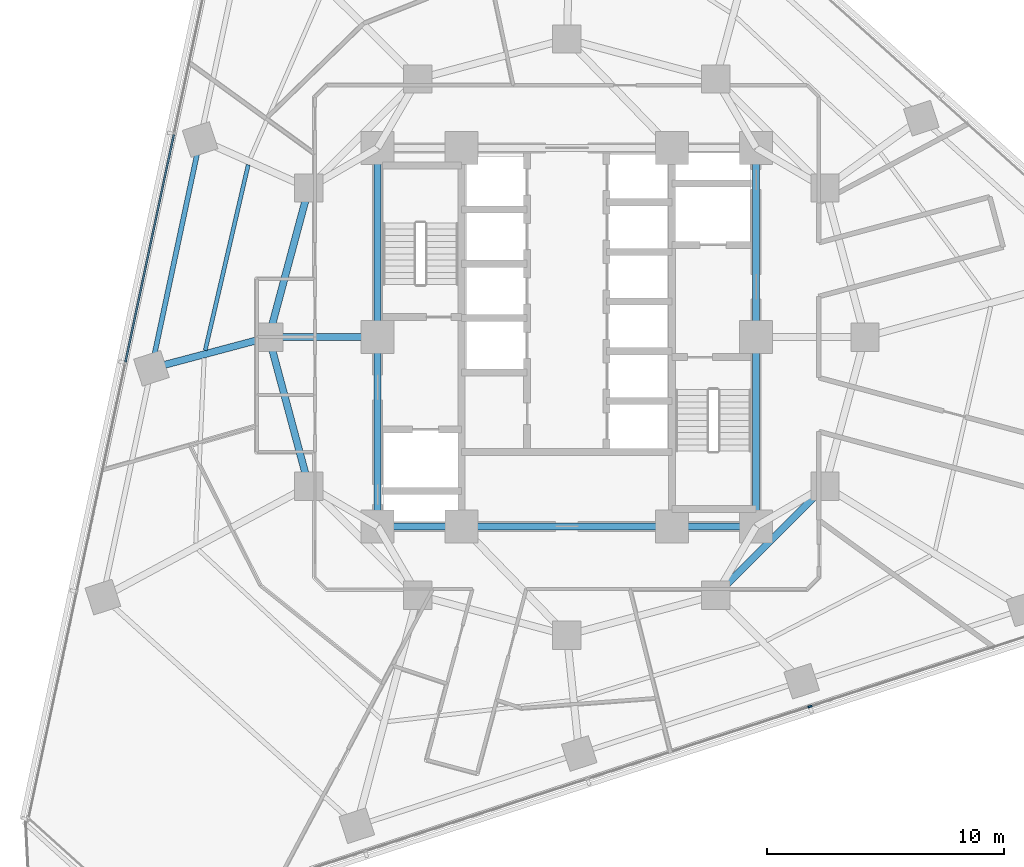
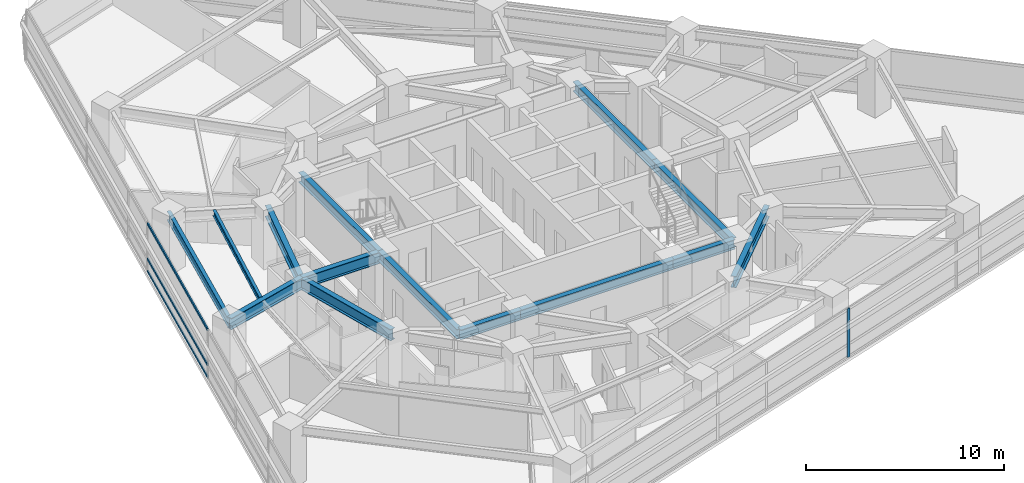
# One storey, part 3 of 13: 14 beams, 4 members, 2 elements without a shape of their own.
"""IFC4 building model written with IfcOpenShell, lengths in metres."""

from ifc_helpers import new_model, si_unit, direction, frame, origin, origin_2d, place, context, subcontext, project, spatial, rectangle, i_section, extrude, material, layer, layer_set, material_profile, profile_set, type_object, element, aggregate, save


model = new_model("IFC4")

# Units and contexts
model_context = context("Model", 3, precision=1e-05, world=origin(), true_north=direction((0.0, 1.0)))
body_context = subcontext(model_context, "Body", "Model", "MODEL_VIEW")
ifc_project = project(units=[si_unit("LENGTHUNIT", "METRE"), si_unit("AREAUNIT", "SQUARE_METRE"), si_unit("VOLUMEUNIT", "CUBIC_METRE"), si_unit("PLANEANGLEUNIT", "RADIAN"), si_unit("MASSUNIT", "GRAM", prefix="KILO")], contexts=[model_context])

# Site, building, storey
site_placement = place(None, origin())
site = spatial("IfcSite", under=ifc_project, at=site_placement, CompositionType="ELEMENT")
building_placement = place(site_placement, origin())
building = spatial("IfcBuilding", under=site, at=building_placement, Name="Terralouvre Media Tower", CompositionType="ELEMENT")
storey_placement = place(building_placement, frame((0.0, 0.0, 90.300048828125)))
storey = spatial("IfcBuildingStorey", under=building, at=storey_placement, Name="L22", CompositionType="ELEMENT", Elevation=90.300048828125)

# Beam
ifc_material_1 = material(Name="Structural steel S355J2", Category="steel")
ifc_material_profile_1 = material_profile(ifc_material_1, i_section(OverallWidth=0.169921875, OverallDepth=0.360107421875, WebThickness=0.008056640625, FlangeThickness=0.0126953125, at=origin_2d()), Name="IPE 360")
ifc_profile_set_1 = profile_set([ifc_material_profile_1], Name="Structural steel S355J2")
beam_type_1 = type_object("IfcBeamType", Name="Composite Floor Joist J-IPE360 (IPE 360)", PredefinedType="JOIST", material=ifc_profile_set_1)
beam_1_placement = place(storey_placement, frame((-13.47216796875, 7.28076171875, 3.320068359375), z_axis=(-0.225820426646, -0.974168945774, 0.0), x_axis=(0.974168945774, -0.225820426646, 0.0)))
element("IfcBeam", 1, at=beam_1_placement, inside=storey, type_object=beam_type_1, Name="L22 Framing Beam JT-L22-12", PredefinedType="JOIST", context=body_context, shape_type="SweptSolid", body=[
    extrude(i_section(OverallWidth=0.169921875, OverallDepth=0.360107421875, WebThickness=0.008056640625, FlangeThickness=0.0126953125, at=origin_2d()), origin(), (0.0, 0.0, 1.0), 8.05224609375),
])

# Curtain wall, members
ifc_material_2 = material(Name="Low-iron laminated double glazing with solar-control coating", Category="glass")
ifc_layer = layer(ifc_material_2, 0.1650390625, Name="Lower Media Tower Unitised Curtain Wall CW-02")
ifc_layer_set = layer_set([ifc_layer], Name="Low-iron laminated double glazing with solar-control coating")
curtain_wall_type = type_object("IfcCurtainWallType", Name="Lower Media Tower Unitised Curtain Wall CW-02", PredefinedType="NOTDEFINED", material=ifc_layer_set)
curtain_wall_1_placement = place(storey_placement, origin())
curtain_wall_1 = element("IfcCurtainWall", 2, at=curtain_wall_1_placement, inside=storey, type_object=curtain_wall_type, Name="L22 Facade Curtain Wall F2", PredefinedType="NOTDEFINED")
ifc_material_3 = material(Name="Anodised extruded aluminium 6063-T6", Category="aluminium")
ifc_material_profile_2 = material_profile(ifc_material_3, rectangle(XDim=0.074951171875, YDim=0.14990234375, at=origin_2d()), Name="ALU 75x150")
ifc_profile_set_2 = profile_set([ifc_material_profile_2], Name="Anodised extruded aluminium 6063-T6")
member_type_1 = type_object("IfcMemberType", Name="Curtain-Wall Horizontal Transom TR-150", PredefinedType="USERDEFINED", material=ifc_profile_set_2)
member_1_placement = place(storey_placement, frame((-16.617919921875, 8.54833984375, 0.037353515625), z_axis=(-0.207914695346, -0.978146962097, 0.0), x_axis=(0.978146962097, -0.207914695346, 0.0)))
member_1 = element("IfcMember", 3, at=member_1_placement, type_object=member_type_1, Name="CW-02 transom 3.1", ObjectType="TRANSOM", PredefinedType="USERDEFINED", context=body_context, shape_type="SweptSolid", body=[
    extrude(rectangle(XDim=0.074951171875, YDim=0.14990234375, at=origin_2d()), origin(), (0.0, 0.0, 1.0), 9.81298828125),
])
member_2_placement = place(storey_placement, frame((-16.617919921875, 8.54833984375, 0.800048828125), z_axis=(-0.207914695346, -0.978146962097, 0.0), x_axis=(0.978146962097, -0.207914695346, 0.0)))
member_2 = element("IfcMember", 4, at=member_2_placement, type_object=member_type_1, Name="CW-02 transom 3.2", ObjectType="TRANSOM", PredefinedType="USERDEFINED", context=body_context, shape_type="SweptSolid", body=[
    extrude(rectangle(XDim=0.074951171875, YDim=0.14990234375, at=origin_2d()), origin(), (0.0, 0.0, 1.0), 9.81298828125),
])
member_3_placement = place(storey_placement, frame((-16.617919921875, 8.54833984375, 2.96240234375), z_axis=(-0.207914695346, -0.978146962097, 0.0), x_axis=(0.978146962097, -0.207914695346, 0.0)))
member_3 = element("IfcMember", 5, at=member_3_placement, type_object=member_type_1, Name="CW-02 transom 3.3", ObjectType="TRANSOM", PredefinedType="USERDEFINED", context=body_context, shape_type="SweptSolid", body=[
    extrude(rectangle(XDim=0.074951171875, YDim=0.14990234375, at=origin_2d()), origin(), (0.0, 0.0, 1.0), 9.81298828125),
])
aggregate(curtain_wall_1, [member_1, member_2, member_3])

# Curtain wall, member
curtain_wall_2_placement = place(storey_placement, origin())
curtain_wall_2 = element("IfcCurtainWall", 6, at=curtain_wall_2_placement, inside=storey, type_object=curtain_wall_type, Name="L22 Facade Curtain Wall F0", PredefinedType="NOTDEFINED")
ifc_material_4 = material(Name="Anodised extruded aluminium 6063-T6", Category="aluminium")
ifc_material_profile_3 = material_profile(ifc_material_4, rectangle(XDim=0.074951171875, YDim=0.179931640625, at=origin_2d()), Name="ALU 75x180")
ifc_profile_set_3 = profile_set([ifc_material_profile_3], Name="Anodised extruded aluminium 6063-T6")
member_type_2 = type_object("IfcMemberType", Name="Curtain-Wall Vertical Mullion ML-180", PredefinedType="MULLION", material=ifc_profile_set_3)
member_4_placement = place(storey_placement, frame((10.274169921875, -15.621826171875, 0.0), z_axis=(0.0, 0.0, 1.0), x_axis=(-0.309017015439, 0.951056509451, 0.0)))
member_4 = element("IfcMember", 7, at=member_4_placement, type_object=member_type_2, Name="CW-02 mullion 4", PredefinedType="MULLION", context=body_context, shape_type="SweptSolid", body=[
    extrude(rectangle(XDim=0.074951171875, YDim=0.179931640625, at=origin_2d()), origin(), (0.0, 0.0, 1.0), 3.0),
])
aggregate(curtain_wall_2, [member_4])

# Beams
ifc_material_5 = material(Name="Structural steel S355J2", Category="steel")
ifc_material_profile_4 = material_profile(ifc_material_5, i_section(OverallWidth=0.2099609375, OverallDepth=0.550048828125, WebThickness=0.010986328125, FlangeThickness=0.01708984375, at=origin_2d()), Name="IPE 550")
ifc_profile_set_4 = profile_set([ifc_material_profile_4], Name="Structural steel S355J2")
beam_type_2 = type_object("IfcBeamType", Name="Perimeter Spandrel Beam SPB-550 (IPE 550)", PredefinedType="SPANDREL", material=ifc_profile_set_4)
beam_2_placement = place(storey_placement, frame((-15.5048828125, 8.35009765625, 3.224853515625), z_axis=(-0.207920177572, -0.97814579678, 0.0), x_axis=(0.97814579678, -0.207920177572, 0.0)))
element("IfcBeam", 8, at=beam_2_placement, inside=storey, type_object=beam_type_2, Name="L22 Framing Beam BM-L22-PR12", PredefinedType="SPANDREL", context=body_context, shape_type="SweptSolid", body=[
    extrude(i_section(OverallWidth=0.2099609375, OverallDepth=0.550048828125, WebThickness=0.010986328125, FlangeThickness=0.01708984375, at=origin_2d()), origin(), (0.0, 0.0, 1.0), 9.887939453125),
])
ifc_material_6 = material(Name="Structural steel S460M", Category="steel")
ifc_material_profile_5 = material_profile(ifc_material_6, i_section(OverallWidth=0.300048828125, OverallDepth=0.60009765625, WebThickness=0.015380859375, FlangeThickness=0.030029296875, at=origin_2d()), Name="HEB 600")
ifc_profile_set_5 = profile_set([ifc_material_profile_5], Name="Structural steel S460M")
beam_type_3 = type_object("IfcBeamType", Name="Primary Floor Girder B-HEB600 (HEB 600)", PredefinedType="BEAM", material=ifc_profile_set_5)
beam_3_placement = place(storey_placement, frame((-8.0, -8.0, 3.199951171875), z_axis=(1.0, 0.0, 0.0), x_axis=(0.0, 1.0, 0.0)))
element("IfcBeam", 9, at=beam_3_placement, inside=storey, type_object=beam_type_3, Name="L22 Framing Beam BM-L22-CPR01", PredefinedType="BEAM", context=body_context, shape_type="SweptSolid", body=[
    extrude(i_section(OverallWidth=0.300048828125, OverallDepth=0.60009765625, WebThickness=0.015380859375, FlangeThickness=0.030029296875, at=origin_2d()), origin(), (0.0, 0.0, 1.0), 3.550048828125),
])
beam_4_placement = place(storey_placement, frame((-4.449951171875, -8.0, 3.199951171875), z_axis=(1.0, 0.0, 0.0), x_axis=(0.0, 1.0, 0.0)))
element("IfcBeam", 10, at=beam_4_placement, inside=storey, type_object=beam_type_3, Name="L22 Framing Beam BM-L22-CPR02", PredefinedType="BEAM", context=body_context, shape_type="SweptSolid", body=[
    extrude(i_section(OverallWidth=0.300048828125, OverallDepth=0.60009765625, WebThickness=0.015380859375, FlangeThickness=0.030029296875, at=origin_2d()), origin(), (0.0, 0.0, 1.0), 8.89990234375),
])
beam_5_placement = place(storey_placement, frame((4.449951171875, -8.0, 3.199951171875), z_axis=(1.0, 0.0, 0.0), x_axis=(0.0, 1.0, 0.0)))
element("IfcBeam", 11, at=beam_5_placement, inside=storey, type_object=beam_type_3, Name="L22 Framing Beam BM-L22-CPR03", PredefinedType="BEAM", context=body_context, shape_type="SweptSolid", body=[
    extrude(i_section(OverallWidth=0.300048828125, OverallDepth=0.60009765625, WebThickness=0.015380859375, FlangeThickness=0.030029296875, at=origin_2d()), origin(), (0.0, 0.0, 1.0), 3.550048828125),
])
for number, where, z_axis, x_axis, name in (
    (12, (8.0, -8.0, 3.199951171875), (0.0, 1.0, 0.0), (-1.0, 0.0, 0.0), "L22 Framing Beam BM-L22-CPR04"),
    (13, (8.0, 0.0, 3.199951171875), (0.0, 1.0, 0.0), (-1.0, 0.0, 0.0), "L22 Framing Beam BM-L22-CPR05"),
    (14, (-8.0, 8.0, 3.199951171875), (0.0, -1.0, 0.0), (1.0, 0.0, 0.0), "L22 Framing Beam BM-L22-CPR09"),
    (15, (-8.0, 0.0, 3.199951171875), (0.0, -1.0, 0.0), (1.0, 0.0, 0.0), "L22 Framing Beam BM-L22-CPR10"),
):
    element("IfcBeam", number, at=place(storey_placement, frame(where, z_axis=z_axis, x_axis=x_axis)), inside=storey, type_object=beam_type_3, Name=name, PredefinedType="BEAM", context=body_context, shape_type="SweptSolid", body=[
        extrude(i_section(OverallWidth=0.300048828125, OverallDepth=0.60009765625, WebThickness=0.015380859375, FlangeThickness=0.030029296875, at=origin_2d()), origin(), (0.0, 0.0, 1.0), 8.0),
    ])
ifc_material_7 = material(Name="Structural steel S460M", Category="steel")
ifc_material_profile_6 = material_profile(ifc_material_7, i_section(OverallWidth=0.300048828125, OverallDepth=0.699951171875, WebThickness=0.01708984375, FlangeThickness=0.031982421875, at=origin_2d()), Name="HEB 700")
ifc_profile_set_6 = profile_set([ifc_material_profile_6], Name="Structural steel S460M")
beam_type_4 = type_object("IfcBeamType", Name="Primary Floor Girder B-HEB700 (HEB 700)", PredefinedType="BEAM", material=ifc_profile_set_6)
beam_6_placement = place(storey_placement, frame((6.300048828125, -10.911865234375, 3.14990234375), z_axis=(0.707106781187, 0.707106781187, 0.0), x_axis=(-0.707106781187, 0.707106781187, 0.0)))
element("IfcBeam", 16, at=beam_6_placement, inside=storey, type_object=beam_type_4, Name="L22 Framing Beam BM-L22-MR04", PredefinedType="BEAM", context=body_context, shape_type="SweptSolid", body=[
    extrude(i_section(OverallWidth=0.300048828125, OverallDepth=0.699951171875, WebThickness=0.01708984375, FlangeThickness=0.031982421875, at=origin_2d()), origin(), (0.0, 0.0, 1.0), 6.52197265625),
])
for number, where, z_axis, x_axis, name in (
    (17, (-10.911865234375, 6.300048828125, 3.14990234375), (-0.258838989821, -0.965920481897, 0.0), (0.965920481897, -0.258838989821, 0.0), "L22 Framing Beam BM-L22-MR11"),
    (18, (-12.60009765625, 0.0, 3.14990234375), (0.258838989821, -0.965920481897, 0.0), (0.965920481897, 0.258838989821, 0.0), "L22 Framing Beam BM-L22-MR12"),
):
    element("IfcBeam", number, at=place(storey_placement, frame(where, z_axis=z_axis, x_axis=x_axis)), inside=storey, type_object=beam_type_4, Name=name, PredefinedType="BEAM", context=body_context, shape_type="SweptSolid", body=[
        extrude(i_section(OverallWidth=0.300048828125, OverallDepth=0.699951171875, WebThickness=0.01708984375, FlangeThickness=0.031982421875, at=origin_2d()), origin(), (0.0, 0.0, 1.0), 6.522216796875),
    ])
beam_7_placement = place(storey_placement, frame((-8.0, 0.0, 3.14990234375), z_axis=(-1.0, 0.0, 0.0), x_axis=(0.0, -1.0, 0.0)))
element("IfcBeam", 19, at=beam_7_placement, inside=storey, type_object=beam_type_4, Name="L22 Framing Beam BM-L22-CM12", PredefinedType="BEAM", context=body_context, shape_type="SweptSolid", body=[
    extrude(i_section(OverallWidth=0.300048828125, OverallDepth=0.699951171875, WebThickness=0.01708984375, FlangeThickness=0.031982421875, at=origin_2d()), origin(), (0.0, 0.0, 1.0), 4.60009765625),
])
beam_8_placement = place(storey_placement, frame((-12.60009765625, 0.0, 3.14990234375), z_axis=(-0.966287014212, -0.257467291449, 0.0), x_axis=(0.257467291449, -0.966287014212, 0.0)))
element("IfcBeam", 20, at=beam_8_placement, inside=storey, type_object=beam_type_4, Name="L22 Framing Beam BM-L22-RD01", PredefinedType="BEAM", context=body_context, shape_type="SweptSolid", body=[
    extrude(i_section(OverallWidth=0.300048828125, OverallDepth=0.699951171875, WebThickness=0.01708984375, FlangeThickness=0.031982421875, at=origin_2d()), origin(), (0.0, 0.0, 1.0), 5.1337890625),
])

save(model, "model.ifc")
